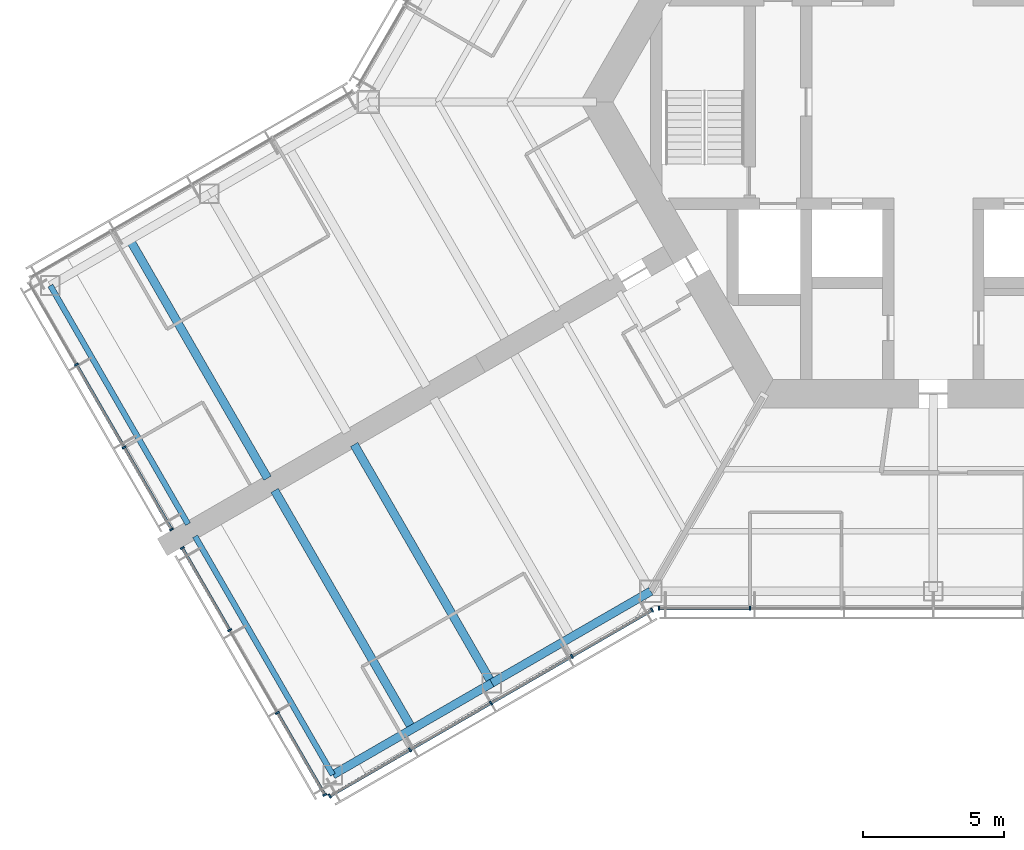
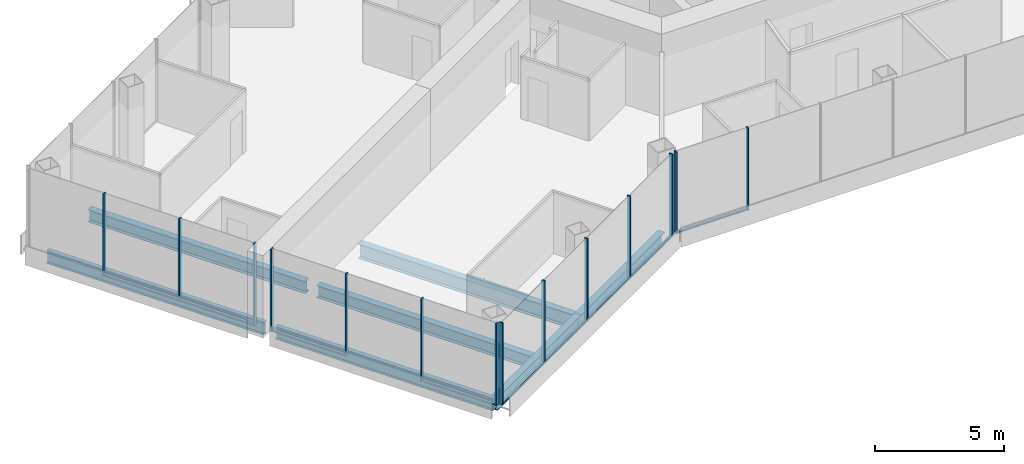
# One storey, part 2 of 18: 23 members, 7 beams, 4 elements without a shape of their own.
"""IFC4 building model written with IfcOpenShell, lengths in metres."""

from ifc_helpers import new_model, si_unit, direction, frame, origin, origin_2d, place, context, subcontext, project, spatial, rectangle, i_section, extrude, material, material_profile, profile_set, type_object, element, aggregate, save


model = new_model("IFC4")

# Units and contexts
model_context = context("Model", 3, precision=1e-05, world=origin(), true_north=direction((0.0, 1.0)))
body_context = subcontext(model_context, "Body", "Model", "MODEL_VIEW")
ifc_project = project(units=[si_unit("LENGTHUNIT", "METRE"), si_unit("AREAUNIT", "SQUARE_METRE"), si_unit("VOLUMEUNIT", "CUBIC_METRE"), si_unit("PLANEANGLEUNIT", "RADIAN"), si_unit("MASSUNIT", "GRAM", prefix="KILO")], contexts=[model_context])

# Site, building, storey
site_placement = place(None, origin())
site = spatial("IfcSite", under=ifc_project, at=site_placement, CompositionType="ELEMENT")
building_placement = place(site_placement, origin())
building = spatial("IfcBuilding", under=site, at=building_placement, Name="Kasaneha Research Tower", CompositionType="ELEMENT")
storey_placement = place(building_placement, frame((0.0, 0.0, 168.199951171875)))
storey = spatial("IfcBuildingStorey", under=building, at=storey_placement, Name="L42", CompositionType="ELEMENT", Elevation=168.199951171875)

# Beams
ifc_material_1 = material(Name="Steel SN490B", Category="steel")
ifc_material_profile_1 = material_profile(ifc_material_1, i_section(OverallWidth=0.300048828125, OverallDepth=0.58203125, WebThickness=0.011962890625, FlangeThickness=0.01708984375, FilletRadius=0.012939453125, at=origin_2d()), Name="H-582x300x12x17")
ifc_profile_set_1 = profile_set([ifc_material_profile_1], Name="Steel SN490B")
beam_type_1 = type_object("IfcBeamType", Name="B2-3 secondary beam H-582x300x12x17", PredefinedType="JOIST", material=ifc_profile_set_1)
for number, where, z_axis, x_axis, name in (
    (1, (-28.44384765625, -4.875, -0.44091796875), (0.499995560238, -0.866027967067, 0.0), (0.866027967067, 0.499995560238, 0.0), "Secondary beam WBBP2 L42"),
    (2, (-18.44384765625, -22.195556640625, -0.44091796875), (-0.499995560238, 0.866027967067, 0.0), (-0.866027967067, -0.499995560238, 0.0), "Secondary beam WBBN2 L42"),
):
    element("IfcBeam", number, at=place(storey_placement, frame(where, z_axis=z_axis, x_axis=x_axis)), inside=storey, type_object=beam_type_1, Name=name, PredefinedType="JOIST", context=body_context, shape_type="SweptSolid", body=[
        extrude(i_section(OverallWidth=0.300048828125, OverallDepth=0.58203125, WebThickness=0.011962890625, FlangeThickness=0.01708984375, FilletRadius=0.012939453125, at=origin_2d()), origin(), (0.0, 0.0, 1.0), 9.75),
    ])

# Curtain wall, members
ifc_material_2 = material(Name="Glass and aluminium", Category="aluminium")
curtain_wall_type = type_object("IfcCurtainWallType", Name="Mid-rise office curtain wall", PredefinedType="USERDEFINED", material=ifc_material_2)
curtain_wall_1_placement = place(storey_placement, origin())
curtain_wall_1 = element("IfcCurtainWall", 3, at=curtain_wall_1_placement, inside=storey, type_object=curtain_wall_type, Name="CW-O2 L42 run 01a", ObjectType="UNITISED CURTAIN WALL", PredefinedType="USERDEFINED")
ifc_material_3 = material(Name="Aluminium 6063-T6", Category="aluminium")
ifc_material_profile_2 = material_profile(ifc_material_3, rectangle(XDim=0.06005859375, YDim=0.14990234375, at=origin_2d()), Name="CW-O2 mullion 60x150")
ifc_profile_set_2 = profile_set([ifc_material_profile_2], Name="Aluminium 6063-T6")
member_type_1 = type_object("IfcMemberType", Name="CW-O2 mullion", PredefinedType="MULLION", material=ifc_profile_set_2)
member_1_placement = place(storey_placement, frame((-9.709228515625, -17.92041015625, 0.0), z_axis=(0.0, 0.0, 1.0), x_axis=(1.0, 0.0, 0.0)))
member_1 = element("IfcMember", 4, at=member_1_placement, type_object=member_type_1, Name="CW-O2 mullion 1", PredefinedType="MULLION", context=body_context, shape_type="SweptSolid", body=[
    extrude(rectangle(XDim=0.06005859375, YDim=0.14990234375, at=origin_2d()), origin(), (0.0, 0.0, 1.0), 3.900146484375),
])
member_2_placement = place(storey_placement, frame((-6.492919921875, -17.92041015625, 0.0), z_axis=(0.0, 0.0, 1.0), x_axis=(1.0, 0.0, 0.0)))
member_2 = element("IfcMember", 5, at=member_2_placement, type_object=member_type_1, Name="CW-O2 mullion 2", PredefinedType="MULLION", context=body_context, shape_type="SweptSolid", body=[
    extrude(rectangle(XDim=0.06005859375, YDim=0.14990234375, at=origin_2d()), origin(), (0.0, 0.0, 1.0), 3.900146484375),
])

curtain_wall_2_placement = place(storey_placement, origin())
curtain_wall_2 = element("IfcCurtainWall", 6, at=curtain_wall_2_placement, inside=storey, type_object=curtain_wall_type, Name="CW-O2 L42 run 10a", ObjectType="UNITISED CURTAIN WALL", PredefinedType="USERDEFINED")
member_3_placement = place(storey_placement, frame((-30.336181640625, -9.297119140625, 0.0), z_axis=(0.0, 0.0, 1.0), x_axis=(0.500000011442, -0.866025397178, 0.0)))
member_3 = element("IfcMember", 7, at=member_3_placement, type_object=member_type_1, Name="CW-O2 mullion 2", PredefinedType="MULLION", context=body_context, shape_type="SweptSolid", body=[
    extrude(rectangle(XDim=0.06005859375, YDim=0.14990234375, at=origin_2d()), origin(), (0.0, 0.0, 1.0), 3.900146484375),
])
member_4_placement = place(storey_placement, frame((-28.64453125, -12.22705078125, 0.0), z_axis=(0.0, 0.0, 1.0), x_axis=(0.500000011442, -0.866025397178, 0.0)))
member_4 = element("IfcMember", 8, at=member_4_placement, type_object=member_type_1, Name="CW-O2 mullion 3", PredefinedType="MULLION", context=body_context, shape_type="SweptSolid", body=[
    extrude(rectangle(XDim=0.06005859375, YDim=0.14990234375, at=origin_2d()), origin(), (0.0, 0.0, 1.0), 3.900146484375),
])
member_5_placement = place(storey_placement, frame((-26.968017578125, -15.131103515625, 0.0), z_axis=(0.0, 0.0, 1.0), x_axis=(0.500000011442, -0.866025397178, 0.0)))
member_5 = element("IfcMember", 9, at=member_5_placement, type_object=member_type_1, Name="CW-O2 mullion 4", PredefinedType="MULLION", context=body_context, shape_type="SweptSolid", body=[
    extrude(rectangle(XDim=0.06005859375, YDim=0.14990234375, at=origin_2d()), origin(), (0.0, 0.0, 1.0), 3.900146484375),
])

curtain_wall_3_placement = place(storey_placement, origin())
curtain_wall_3 = element("IfcCurtainWall", 10, at=curtain_wall_3_placement, inside=storey, type_object=curtain_wall_type, Name="CW-O2 L42 run 11a", ObjectType="UNITISED CURTAIN WALL", PredefinedType="USERDEFINED")
member_6_placement = place(storey_placement, frame((-26.587890625, -15.789306640625, 0.0), z_axis=(0.0, 0.0, 1.0), x_axis=(0.500000011442, -0.866025397178, 0.0)))
member_6 = element("IfcMember", 11, at=member_6_placement, type_object=member_type_1, Name="CW-O2 mullion 1", PredefinedType="MULLION", context=body_context, shape_type="SweptSolid", body=[
    extrude(rectangle(XDim=0.06005859375, YDim=0.14990234375, at=origin_2d()), origin(), (0.0, 0.0, 1.0), 3.900146484375),
])
member_7_placement = place(storey_placement, frame((-24.911376953125, -18.693359375, 0.0), z_axis=(0.0, 0.0, 1.0), x_axis=(0.500000011442, -0.866025397178, 0.0)))
member_7 = element("IfcMember", 12, at=member_7_placement, type_object=member_type_1, Name="CW-O2 mullion 2", PredefinedType="MULLION", context=body_context, shape_type="SweptSolid", body=[
    extrude(rectangle(XDim=0.06005859375, YDim=0.14990234375, at=origin_2d()), origin(), (0.0, 0.0, 1.0), 3.900146484375),
])
member_8_placement = place(storey_placement, frame((-23.2197265625, -21.62353515625, 0.0), z_axis=(0.0, 0.0, 1.0), x_axis=(0.500000011442, -0.866025397178, 0.0)))
member_8 = element("IfcMember", 13, at=member_8_placement, type_object=member_type_1, Name="CW-O2 mullion 3", PredefinedType="MULLION", context=body_context, shape_type="SweptSolid", body=[
    extrude(rectangle(XDim=0.06005859375, YDim=0.14990234375, at=origin_2d()), origin(), (0.0, 0.0, 1.0), 3.900146484375),
])
member_9_placement = place(storey_placement, frame((-21.54296875, -24.527587890625, 0.0), z_axis=(0.0, 0.0, 1.0), x_axis=(0.500000011442, -0.866025397178, 0.0)))
member_9 = element("IfcMember", 14, at=member_9_placement, type_object=member_type_1, Name="CW-O2 mullion 4", PredefinedType="MULLION", context=body_context, shape_type="SweptSolid", body=[
    extrude(rectangle(XDim=0.06005859375, YDim=0.14990234375, at=origin_2d()), origin(), (0.0, 0.0, 1.0), 3.900146484375),
])

curtain_wall_4_placement = place(storey_placement, origin())
curtain_wall_4 = element("IfcCurtainWall", 15, at=curtain_wall_4_placement, inside=storey, type_object=curtain_wall_type, Name="CW-O2 L42 run 12a", ObjectType="UNITISED CURTAIN WALL", PredefinedType="USERDEFINED")
member_10_placement = place(storey_placement, frame((-21.365478515625, -24.5751953125, 0.0), z_axis=(0.0, 0.0, 1.0), x_axis=(0.866025411464, 0.499999986699, 0.0)))
member_10 = element("IfcMember", 16, at=member_10_placement, type_object=member_type_1, Name="CW-O2 mullion 1", PredefinedType="MULLION", context=body_context, shape_type="SweptSolid", body=[
    extrude(rectangle(XDim=0.06005859375, YDim=0.14990234375, at=origin_2d()), origin(), (0.0, 0.0, 1.0), 3.900146484375),
])
member_11_placement = place(storey_placement, frame((-18.52490234375, -22.935302734375, 0.0), z_axis=(0.0, 0.0, 1.0), x_axis=(0.866025411464, 0.499999986699, 0.0)))
member_11 = element("IfcMember", 17, at=member_11_placement, type_object=member_type_1, Name="CW-O2 mullion 2", PredefinedType="MULLION", context=body_context, shape_type="SweptSolid", body=[
    extrude(rectangle(XDim=0.06005859375, YDim=0.14990234375, at=origin_2d()), origin(), (0.0, 0.0, 1.0), 3.900146484375),
])
member_12_placement = place(storey_placement, frame((-15.65869140625, -21.2802734375, 0.0), z_axis=(0.0, 0.0, 1.0), x_axis=(0.866025411464, 0.499999986699, 0.0)))
member_12 = element("IfcMember", 18, at=member_12_placement, type_object=member_type_1, Name="CW-O2 mullion 3", PredefinedType="MULLION", context=body_context, shape_type="SweptSolid", body=[
    extrude(rectangle(XDim=0.06005859375, YDim=0.14990234375, at=origin_2d()), origin(), (0.0, 0.0, 1.0), 3.900146484375),
])
member_13_placement = place(storey_placement, frame((-12.792236328125, -19.62548828125, 0.0), z_axis=(0.0, 0.0, 1.0), x_axis=(0.866025411464, 0.499999986699, 0.0)))
member_13 = element("IfcMember", 19, at=member_13_placement, type_object=member_type_1, Name="CW-O2 mullion 4", PredefinedType="MULLION", context=body_context, shape_type="SweptSolid", body=[
    extrude(rectangle(XDim=0.06005859375, YDim=0.14990234375, at=origin_2d()), origin(), (0.0, 0.0, 1.0), 3.900146484375),
])
member_14_placement = place(storey_placement, frame((-9.951904296875, -17.985595703125, 0.0), z_axis=(0.0, 0.0, 1.0), x_axis=(0.866025411464, 0.499999986699, 0.0)))
member_14 = element("IfcMember", 20, at=member_14_placement, type_object=member_type_1, Name="CW-O2 mullion 5", PredefinedType="MULLION", context=body_context, shape_type="SweptSolid", body=[
    extrude(rectangle(XDim=0.06005859375, YDim=0.14990234375, at=origin_2d()), origin(), (0.0, 0.0, 1.0), 3.900146484375),
])

# Member
ifc_material_4 = material(Name="Aluminium 6063-T6", Category="aluminium")
ifc_material_profile_3 = material_profile(ifc_material_4, rectangle(XDim=0.110107421875, YDim=0.06005859375, at=origin_2d()), Name="CW-O2 transom 110x60")
ifc_profile_set_3 = profile_set([ifc_material_profile_3], Name="Aluminium 6063-T6")
member_type_2 = type_object("IfcMemberType", Name="CW-O2 transom", PredefinedType="USERDEFINED", material=ifc_profile_set_3)
member_15_placement = place(storey_placement, frame((-9.67919921875, -17.92041015625, 0.030029296875), z_axis=(1.0, 0.0, 0.0), x_axis=(0.0, 1.0, 0.0)))
member_15 = element("IfcMember", 21, at=member_15_placement, type_object=member_type_2, Name="CW-O2 transom 1", ObjectType="TRANSOM", PredefinedType="USERDEFINED", context=body_context, shape_type="SweptSolid", body=[
    extrude(rectangle(XDim=0.110107421875, YDim=0.06005859375, at=origin_2d()), origin(), (0.0, 0.0, 1.0), 3.156494140625),
])

aggregate(curtain_wall_1, [member_1, member_2, member_15])

member_16_placement = place(storey_placement, frame((-30.3212890625, -9.322998046875, 0.030029296875), z_axis=(0.499978935311, -0.866037565146, 0.0), x_axis=(0.866037565146, 0.499978935311, 0.0)))
member_16 = element("IfcMember", 22, at=member_16_placement, type_object=member_type_2, Name="CW-O2 transom 2", ObjectType="TRANSOM", PredefinedType="USERDEFINED", context=body_context, shape_type="SweptSolid", body=[
    extrude(rectangle(XDim=0.110107421875, YDim=0.06005859375, at=origin_2d()), origin(), (0.0, 0.0, 1.0), 3.323486328125),
])

member_17_placement = place(storey_placement, frame((-28.629638671875, -12.253173828125, 0.030029296875), z_axis=(0.500021914551, -0.866012751043, 0.0), x_axis=(0.866012751043, 0.500021914551, 0.0)))
member_17 = element("IfcMember", 23, at=member_17_placement, type_object=member_type_2, Name="CW-O2 transom 3", ObjectType="TRANSOM", PredefinedType="USERDEFINED", context=body_context, shape_type="SweptSolid", body=[
    extrude(rectangle(XDim=0.110107421875, YDim=0.06005859375, at=origin_2d()), origin(), (0.0, 0.0, 1.0), 3.293212890625),
])

aggregate(curtain_wall_2, [member_3, member_4, member_5, member_16, member_17])

member_18_placement = place(storey_placement, frame((-26.572998046875, -15.8154296875, 0.030029296875), z_axis=(0.500021914551, -0.866012751043, 0.0), x_axis=(0.866012751043, 0.500021914551, 0.0)))
member_18 = element("IfcMember", 24, at=member_18_placement, type_object=member_type_2, Name="CW-O2 transom 1", ObjectType="TRANSOM", PredefinedType="USERDEFINED", context=body_context, shape_type="SweptSolid", body=[
    extrude(rectangle(XDim=0.110107421875, YDim=0.06005859375, at=origin_2d()), origin(), (0.0, 0.0, 1.0), 3.293212890625),
])

member_19_placement = place(storey_placement, frame((-23.20458984375, -21.6494140625, 0.030029296875), z_axis=(0.500021914551, -0.866012751043, 0.0), x_axis=(0.866012751043, 0.500021914551, 0.0)))
member_19 = element("IfcMember", 25, at=member_19_placement, type_object=member_type_2, Name="CW-O2 transom 3", ObjectType="TRANSOM", PredefinedType="USERDEFINED", context=body_context, shape_type="SweptSolid", body=[
    extrude(rectangle(XDim=0.110107421875, YDim=0.06005859375, at=origin_2d()), origin(), (0.0, 0.0, 1.0), 3.293212890625),
])

aggregate(curtain_wall_3, [member_6, member_7, member_8, member_9, member_18, member_19])

member_20_placement = place(storey_placement, frame((-21.33935546875, -24.56005859375, 0.030029296875), z_axis=(0.866022692473, 0.500004696101, 0.0), x_axis=(-0.500004696101, 0.866022692473, 0.0)))
member_20 = element("IfcMember", 26, at=member_20_placement, type_object=member_type_2, Name="CW-O2 transom 1", ObjectType="TRANSOM", PredefinedType="USERDEFINED", context=body_context, shape_type="SweptSolid", body=[
    extrude(rectangle(XDim=0.110107421875, YDim=0.06005859375, at=origin_2d()), origin(), (0.0, 0.0, 1.0), 3.2197265625),
])

member_21_placement = place(storey_placement, frame((-18.4990234375, -22.920166015625, 0.030029296875), z_axis=(0.86604797581, 0.499960902066, 0.0), x_axis=(-0.499960902066, 0.86604797581, 0.0)))
member_21 = element("IfcMember", 27, at=member_21_placement, type_object=member_type_2, Name="CW-O2 transom 2", ObjectType="TRANSOM", PredefinedType="USERDEFINED", context=body_context, shape_type="SweptSolid", body=[
    extrude(rectangle(XDim=0.110107421875, YDim=0.06005859375, at=origin_2d()), origin(), (0.0, 0.0, 1.0), 3.249755859375),
])

member_22_placement = place(storey_placement, frame((-15.632568359375, -21.265380859375, 0.030029296875), z_axis=(0.866015446554, 0.500017246033, 0.0), x_axis=(-0.500017246033, 0.866015446554, 0.0)))
member_22 = element("IfcMember", 28, at=member_22_placement, type_object=member_type_2, Name="CW-O2 transom 3", ObjectType="TRANSOM", PredefinedType="USERDEFINED", context=body_context, shape_type="SweptSolid", body=[
    extrude(rectangle(XDim=0.110107421875, YDim=0.06005859375, at=origin_2d()), origin(), (0.0, 0.0, 1.0), 3.25),
])

member_23_placement = place(storey_placement, frame((-12.76611328125, -19.6103515625, 0.030029296875), z_axis=(0.866022692473, 0.500004696101, 0.0), x_axis=(-0.500004696101, 0.866022692473, 0.0)))
member_23 = element("IfcMember", 29, at=member_23_placement, type_object=member_type_2, Name="CW-O2 transom 4", ObjectType="TRANSOM", PredefinedType="USERDEFINED", context=body_context, shape_type="SweptSolid", body=[
    extrude(rectangle(XDim=0.110107421875, YDim=0.06005859375, at=origin_2d()), origin(), (0.0, 0.0, 1.0), 3.2197265625),
])

aggregate(curtain_wall_4, [member_10, member_11, member_12, member_13, member_14, member_20, member_21, member_22, member_23])

# Beams
ifc_material_5 = material(Name="Steel SN490B", Category="steel")
ifc_material_profile_4 = material_profile(ifc_material_5, i_section(OverallWidth=0.300048828125, OverallDepth=0.699951171875, WebThickness=0.012939453125, FlangeThickness=0.02392578125, FilletRadius=0.01806640625, at=origin_2d()), Name="H-700x300x13x24")
ifc_profile_set_4 = profile_set([ifc_material_profile_4], Name="Steel SN490B")
beam_type_2 = type_object("IfcBeamType", Name="G4-3 wing girder H-700x300x13x24", PredefinedType="BEAM", material=ifc_profile_set_4)
beam_placement = place(storey_placement, frame((-15.629150390625, -20.570556640625, -0.5), z_axis=(-0.499995560238, 0.866027967067, 0.0), x_axis=(-0.866027967067, -0.499995560238, 0.0)))
element("IfcBeam", 30, at=beam_placement, inside=storey, type_object=beam_type_2, Name="Wing girder WGBN L42", PredefinedType="BEAM", context=body_context, shape_type="SweptSolid", body=[
    extrude(i_section(OverallWidth=0.300048828125, OverallDepth=0.699951171875, WebThickness=0.012939453125, FlangeThickness=0.02392578125, FilletRadius=0.01806640625, at=origin_2d()), origin(), (0.0, 0.0, 1.0), 9.75),
])
ifc_material_6 = material(Name="Steel SN490B", Category="steel")
ifc_material_profile_5 = material_profile(ifc_material_6, i_section(OverallWidth=0.300048828125, OverallDepth=0.58203125, WebThickness=0.011962890625, FlangeThickness=0.01708984375, FilletRadius=0.012939453125, at=origin_2d()), Name="H-582x300x12x17")
ifc_profile_set_5 = profile_set([ifc_material_profile_5], Name="Steel SN490B")
beam_type_3 = type_object("IfcBeamType", Name="SB2-3 spandrel beam H-582x300x12x17", PredefinedType="SPANDREL", material=ifc_profile_set_5)
for number, where, z_axis, x_axis, name in (
    (31, (-10.0, -17.320556640625, -0.44091796875), (-0.866024837091, -0.50000098154, 0.0), (0.50000098154, -0.866024837091, 0.0), "Spandrel beam WSBN1 L42"),
    (32, (-15.629150390625, -20.570556640625, -0.44091796875), (-0.866024837091, -0.50000098154, 0.0), (0.50000098154, -0.866024837091, 0.0), "Spandrel beam WSBN2 L42"),
):
    element("IfcBeam", number, at=place(storey_placement, frame(where, z_axis=z_axis, x_axis=x_axis)), inside=storey, type_object=beam_type_3, Name=name, PredefinedType="SPANDREL", context=body_context, shape_type="SweptSolid", body=[
        extrude(i_section(OverallWidth=0.300048828125, OverallDepth=0.58203125, WebThickness=0.011962890625, FlangeThickness=0.01708984375, FilletRadius=0.012939453125, at=origin_2d()), origin(), (0.0, 0.0, 1.0), 6.5),
    ])
ifc_material_7 = material(Name="Steel SN490B", Category="steel")
ifc_material_profile_6 = material_profile(ifc_material_7, i_section(OverallWidth=0.199951171875, OverallDepth=0.60009765625, WebThickness=0.010986328125, FlangeThickness=0.01708984375, FilletRadius=0.012939453125, at=origin_2d()), Name="H-600x200x11x17")
ifc_profile_set_6 = profile_set([ifc_material_profile_6], Name="Steel SN490B")
beam_type_4 = type_object("IfcBeamType", Name="SB3-3 spandrel beam H-600x200x11x17", PredefinedType="SPANDREL", material=ifc_profile_set_6)
for number, where, z_axis, x_axis, name in (
    (33, (-31.25830078125, -6.5, -0.449951171875), (0.499995560238, -0.866027967067, 0.0), (0.866027967067, 0.499995560238, 0.0), "Spandrel beam WTBP L42"),
    (34, (-21.25830078125, -23.820556640625, -0.449951171875), (-0.499995560238, 0.866027967067, 0.0), (-0.866027967067, -0.499995560238, 0.0), "Spandrel beam WTBN L42"),
):
    element("IfcBeam", number, at=place(storey_placement, frame(where, z_axis=z_axis, x_axis=x_axis)), inside=storey, type_object=beam_type_4, Name=name, PredefinedType="SPANDREL", context=body_context, shape_type="SweptSolid", body=[
        extrude(i_section(OverallWidth=0.199951171875, OverallDepth=0.60009765625, WebThickness=0.010986328125, FlangeThickness=0.01708984375, FilletRadius=0.012939453125, at=origin_2d()), origin(), (0.0, 0.0, 1.0), 9.75),
    ])

save(model, "model.ifc")
